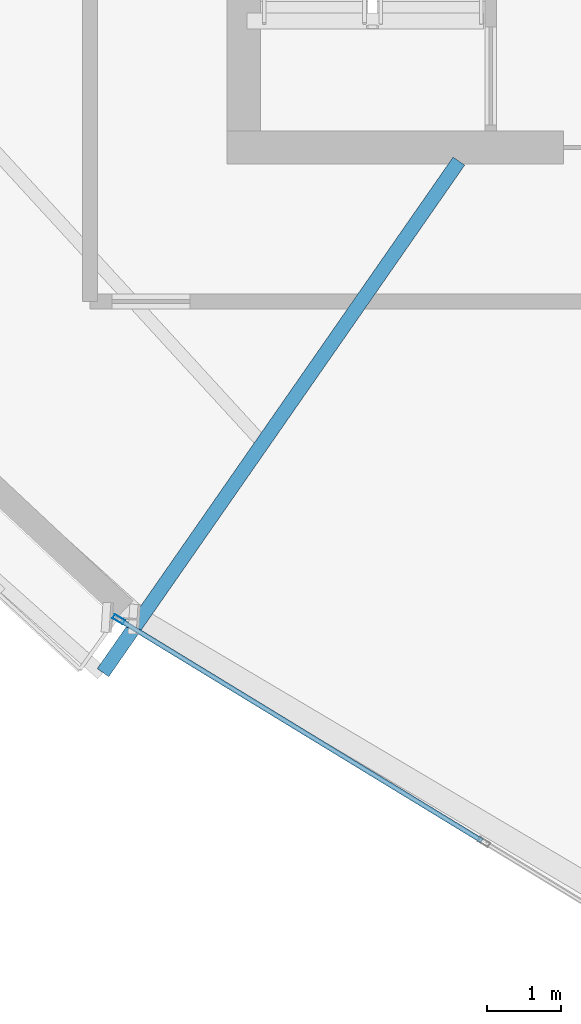
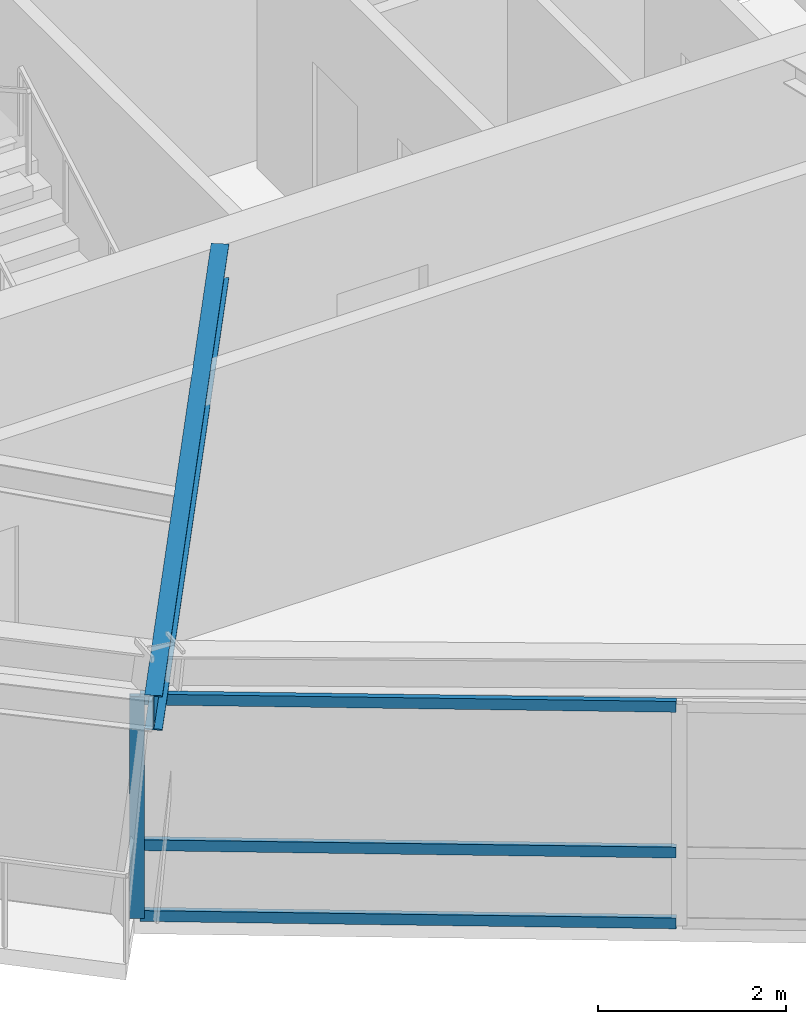
# One storey, part 2 of 14: 4 members, 1 beam, 1 element without a shape of its own.
"""IFC4 building model written with IfcOpenShell, lengths in metres."""

import ifcopenshell
import ifcopenshell.guid

model = None  # the IFC model being written
_history = None  # IfcOwnerHistory: only IFC2X3 demands one
_inside = {}  # id of a spatial element -> (the spatial element, [elements in it])
_under = {}  # id of a project, library or spatial element -> (it, [spatial elements below it])
_declared = {}  # id of a project -> (the project, [libraries it declares])
_typed = {}  # id of a type object -> (the type object, [elements of that type])
_made_of = {}  # id of a material, layer set ... -> (it, [elements and type objects made of it])


def new_model(schema):
    """Start an empty IFC model of exactly this schema.

    Asked for "IFC4X3", IfcOpenShell would pick the latest addendum, in which some entities
    have other attributes; the version numbers below select the first issue.
    IFC2X3 requires an IfcOwnerHistory on every rooted entity: one is made here for all.
    """
    global model, _history
    if schema == "IFC4X3":
        model = ifcopenshell.file(schema_version=(4, 3, 0, 0))
    else:
        model = ifcopenshell.file(schema=schema)
    _inside.clear()
    _under.clear()
    _declared.clear()
    _typed.clear()
    _made_of.clear()
    _history = None
    if model.schema == "IFC2X3":
        org = make("IfcOrganization", Name="unknown")
        user = make(
            "IfcPersonAndOrganization",
            ThePerson=make("IfcPerson", FamilyName="unknown"),
            TheOrganization=org,
        )
        app = make(
            "IfcApplication",
            ApplicationDeveloper=org,
            Version="unknown",
            ApplicationFullName="unknown",
            ApplicationIdentifier="unknown",
        )
        _history = make(
            "IfcOwnerHistory",
            OwningUser=user,
            OwningApplication=app,
            ChangeAction="ADDED",
            CreationDate=0,
        )
    return model


def make(cls, **values):
    """One entity of the class cls with the attributes given. An attribute that is None is left unset."""
    return model.create_entity(
        cls, **{name: value for name, value in values.items() if value is not None}
    )


def rooted(cls, **values):
    """An entity with a GlobalId (a new one), such as an element, a storey or a relation."""
    return make(cls, GlobalId=ifcopenshell.guid.new(), OwnerHistory=_history, **values)


def si_unit(unit_type, name, prefix=None):
    """IfcSIUnit, for example si_unit("LENGTHUNIT", "METRE", prefix="MILLI")."""
    return make("IfcSIUnit", UnitType=unit_type, Prefix=prefix, Name=name)


def assignment(units):
    """IfcUnitAssignment: the units of a project."""
    return None if units is None else make("IfcUnitAssignment", Units=units)


def point(xyz):
    """IfcCartesianPoint."""
    return None if xyz is None else make("IfcCartesianPoint", Coordinates=xyz)


def direction(xyz):
    """IfcDirection."""
    return None if xyz is None else make("IfcDirection", DirectionRatios=xyz)


def frame(location, z_axis=None, x_axis=None):
    """IfcAxis2Placement3D, a coordinate frame: its origin and axes. An axis left out is left unset."""
    return make(
        "IfcAxis2Placement3D",
        Location=point(location),
        Axis=direction(z_axis),
        RefDirection=direction(x_axis),
    )


def frame_2d(location, x_axis=None):
    """IfcAxis2Placement2D, a coordinate frame in the plane: its origin and x axis."""
    return make(
        "IfcAxis2Placement2D", Location=point(location), RefDirection=direction(x_axis)
    )


def origin():
    """The frame at (0, 0, 0) with its axes left unset."""
    return frame((0.0, 0.0, 0.0))


def origin_2d():
    """The frame at (0, 0) in the plane with its x axis left unset."""
    return frame_2d((0.0, 0.0))


def place(relative_to, where):
    """IfcLocalPlacement: puts the frame where relative to a parent placement (None: the world)."""
    return make(
        "IfcLocalPlacement", PlacementRelTo=relative_to, RelativePlacement=where
    )


def context(
    kind, dimensions, precision=None, world=None, true_north=None, identifier=None
):
    """IfcGeometricRepresentationContext, for example the 3D "Model" context."""
    return make(
        "IfcGeometricRepresentationContext",
        ContextIdentifier=identifier,
        ContextType=kind,
        CoordinateSpaceDimension=dimensions,
        Precision=precision,
        WorldCoordinateSystem=world,
        TrueNorth=true_north,
    )


def subcontext(parent, identifier, kind, view, scale=None):
    """IfcGeometricRepresentationSubContext, for example "Body" below "Model"."""
    return make(
        "IfcGeometricRepresentationSubContext",
        ContextIdentifier=identifier,
        ContextType=kind,
        ParentContext=parent,
        TargetScale=scale,
        TargetView=view,
    )


def project(units=None, contexts=None):
    """IfcProject with its units and contexts."""
    return rooted(
        "IfcProject",
        Name="project",
        RepresentationContexts=contexts,
        UnitsInContext=assignment(units),
    )


def spatial(cls, under=None, at=None, **own):
    """A site, building, storey or space (cls), placed at a placement, below another one or the project."""
    s = rooted(cls, ObjectPlacement=at, **own)
    if under is not None:
        _under.setdefault(under.id(), (under, []))[1].append(s)
    return s


def profile(cls, at=None, kind="AREA", **sizes):
    """A parametric profile (cls). Its sizes go by their IFC names, for example OverallWidth=200.0."""
    return make(cls, ProfileType=kind, Position=at, **sizes)


def hollow_rectangle(**sizes):
    """IfcRectangleHollowProfileDef."""
    return profile("IfcRectangleHollowProfileDef", **sizes)


def i_section(**sizes):
    """IfcIShapeProfileDef."""
    return profile("IfcIShapeProfileDef", **sizes)


def extrude(swept, where, along, depth):
    """IfcExtrudedAreaSolid: the profile swept, set in the frame where, extruded along a direction by depth."""
    return make(
        "IfcExtrudedAreaSolid",
        SweptArea=swept,
        Position=where,
        ExtrudedDirection=direction(along),
        Depth=depth,
    )


def shape(context_of_items, identifier, shape_type, items):
    """IfcShapeRepresentation: the items that make up one representation, for example the "Body"."""
    return make(
        "IfcShapeRepresentation",
        ContextOfItems=context_of_items,
        RepresentationIdentifier=identifier,
        RepresentationType=shape_type,
        Items=items,
    )


def source(mapping_origin, context_of_items, identifier, shape_type, items):
    """IfcRepresentationMap: a shape defined once, which mapped items show again and again."""
    return make(
        "IfcRepresentationMap",
        MappingOrigin=mapping_origin,
        MappedRepresentation=shape(context_of_items, identifier, shape_type, items),
    )


def transform(
    local_origin,
    x_axis=None,
    y_axis=None,
    z_axis=None,
    scale=None,
    scale2=None,
    scale3=None,
    uniform=True,
):
    """IfcCartesianTransformationOperator3D, or its non-uniform kind. x_axis, y_axis, z_axis: its Axis1, 2, 3."""
    if uniform:
        return make(
            "IfcCartesianTransformationOperator3D",
            Axis1=direction(x_axis),
            Axis2=direction(y_axis),
            LocalOrigin=point(local_origin),
            Scale=scale,
            Axis3=direction(z_axis),
        )
    return make(
        "IfcCartesianTransformationOperator3DnonUniform",
        Axis1=direction(x_axis),
        Axis2=direction(y_axis),
        LocalOrigin=point(local_origin),
        Scale=scale,
        Axis3=direction(z_axis),
        Scale2=scale2,
        Scale3=scale3,
    )


def mapped(mapping_source, mapping_target):
    """IfcMappedItem: shows the shape of a source again, moved by a transform."""
    return make(
        "IfcMappedItem", MappingSource=mapping_source, MappingTarget=mapping_target
    )


def material(Name=None, Category=None):
    """IfcMaterial."""
    return make("IfcMaterial", Name=Name, Category=Category)


def material_profile(
    of_material, cross_section, Name=None, Category=None, Priority=None
):
    """IfcMaterialProfile: a cross section and its material."""
    return make(
        "IfcMaterialProfile",
        Name=Name,
        Material=of_material,
        Profile=cross_section,
        Priority=Priority,
        Category=Category,
    )


def profile_set(profiles, Name=None, composite=None):
    """IfcMaterialProfileSet."""
    return make(
        "IfcMaterialProfileSet",
        Name=Name,
        MaterialProfiles=profiles,
        CompositeProfile=composite,
    )


def made_of(thing, what):
    """Note that an element or type object is made of a material, layer set ...; save() writes the relation."""
    if what is not None:
        _made_of.setdefault(what.id(), (what, []))[1].append(thing)
    return thing


def type_object(cls, material=None, **own):
    """A type object (cls), such as IfcWallType, which elements share."""
    return made_of(rooted(cls, **own), material)


def element(
    cls,
    number,
    at=None,
    inside=None,
    cuts=None,
    type_object=None,
    material=None,
    context=None,
    identifier="Body",
    shape_type=None,
    held_by="IfcProductDefinitionShape",
    body=None,
    shapes=None,
    **own,
):
    """One element of the class cls, such as IfcWall. Its Tag is "e" and its number.

    at: its placement. inside: the storey or other place that contains it. cuts: it is an
    opening in that element (IfcRelVoidsElement). A single representation is given by context,
    identifier, shape_type and body (its items); several are given by shapes. held_by: the class
    of the entity that holds the representations. save() writes the other relations.
    """
    e = rooted(cls, Tag="e%d" % number, ObjectPlacement=at, **own)
    if body is not None:
        shapes = [shape(context, identifier, shape_type, body)]
    if shapes is not None:
        e.Representation = make(held_by, Representations=shapes)
    if inside is not None:
        _inside.setdefault(inside.id(), (inside, []))[1].append(e)
    if cuts is not None:
        rooted(
            "IfcRelVoidsElement", RelatingBuildingElement=cuts, RelatedOpeningElement=e
        )
    if type_object is not None:
        _typed.setdefault(type_object.id(), (type_object, []))[1].append(e)
    return made_of(e, material)


def aggregate(whole, parts):
    """IfcRelAggregates: a whole, such as a stair, and the parts it consists of."""
    return rooted("IfcRelAggregates", RelatingObject=whole, RelatedObjects=parts)


def save(model, path):
    """Write the relations noted so far, then the file.

    IfcRelAggregates (storeys below a building ...), IfcRelContainedInSpatialStructure (elements
    in a storey), IfcRelDefinesByType, IfcRelAssociatesMaterial and IfcRelDeclares: one each for
    every whole, place, type object, material and project.
    """
    for whole, parts in _under.values():
        aggregate(whole, parts)
    for where, things in _inside.values():
        rooted(
            "IfcRelContainedInSpatialStructure",
            RelatedElements=things,
            RelatingStructure=where,
        )
    for kind, things in _typed.values():
        rooted("IfcRelDefinesByType", RelatedObjects=things, RelatingType=kind)
    for what, things in _made_of.values():
        rooted("IfcRelAssociatesMaterial", RelatedObjects=things, RelatingMaterial=what)
    for by, libraries in _declared.values():
        rooted("IfcRelDeclares", RelatingContext=by, RelatedDefinitions=libraries)
    model.write(path)


model = new_model("IFC4")

# Units and contexts
model_context = context("Model", 3, precision=1e-05, world=origin(), true_north=direction((0.0, 1.0)))
body_context = subcontext(model_context, "Body", "Model", "MODEL_VIEW")
ifc_project = project(units=[si_unit("LENGTHUNIT", "METRE"), si_unit("AREAUNIT", "SQUARE_METRE"), si_unit("VOLUMEUNIT", "CUBIC_METRE"), si_unit("PLANEANGLEUNIT", "RADIAN"), si_unit("MASSUNIT", "GRAM", prefix="KILO")], contexts=[model_context])

# Site, building, storey
site_placement = place(None, origin())
site = spatial("IfcSite", under=ifc_project, at=site_placement, CompositionType="ELEMENT")
building_placement = place(site_placement, origin())
building = spatial("IfcBuilding", under=site, at=building_placement, Name="Olszyna Solenne Hotel", CompositionType="ELEMENT")
storey_placement = place(building_placement, frame((0.0, 0.0, 256.10009765625)))
storey = spatial("IfcBuildingStorey", under=building, at=storey_placement, Name="L68", CompositionType="ELEMENT", Elevation=256.10009765625)

# Beam
ifc_material_1 = material(Name="Steel S355J2", Category="steel")
ifc_material_profile_1 = material_profile(ifc_material_1, i_section(OverallWidth=0.18994140625, OverallDepth=0.449951171875, WebThickness=0.009521484375, FlangeThickness=0.0146484375, at=origin_2d()), Name="IPE 450", Category="load-bearing")
ifc_profile_set_1 = profile_set([ifc_material_profile_1], Name="Steel S355J2")
beam_type = type_object("IfcBeamType", Name="BM-F4", PredefinedType="BEAM", material=ifc_profile_set_1)
shared_shape_1 = source(origin(), body_context, "Body", "SweptSolid", [
    extrude(i_section(OverallWidth=0.18994140625, OverallDepth=0.449951171875, WebThickness=0.009521484375, FlangeThickness=0.0146484375, at=origin_2d()), origin(), (0.0, 0.0, 1.0), 8.39404296875),
])
beam_placement = place(storey_placement, frame((27.9765625, 12.200927734375, 3.15478515625), z_axis=(0.571168448093, 0.820832872089, 0.0), x_axis=(-0.820832872089, 0.571168448093, 0.0)))
element("IfcBeam", 1, at=beam_placement, inside=storey, type_object=beam_type, Name="Radial floor girder BM-F4 B-L68-2015", PredefinedType="BEAM", context=body_context, shape_type="MappedRepresentation", body=[
    mapped(shared_shape_1, transform((0.0, 0.0, 0.0), x_axis=(1.0, 0.0, 0.0), y_axis=(0.0, 1.0, 0.0), z_axis=(0.0, 0.0, 1.0), scale=1.0)),
])

# Curtain wall, members
ifc_material_2 = material(Name="Anodised bronze aluminium", Category="aluminium")
curtain_wall_type = type_object("IfcCurtainWallType", Name="CW-SYS-4", PredefinedType="NOTDEFINED", material=ifc_material_2)
curtain_wall_placement = place(storey_placement, origin())
curtain_wall = element("IfcCurtainWall", 2, at=curtain_wall_placement, inside=storey, type_object=curtain_wall_type, Name="Unitised curtain wall CW-SYS-4 CW-L68-01", PredefinedType="NOTDEFINED")
ifc_material_profile_2 = material_profile(ifc_material_2, hollow_rectangle(XDim=0.06494140625, YDim=0.159912109375, WallThickness=0.00390625, at=origin_2d()), Name="MULL 160x65x4", Category="load-bearing")
ifc_profile_set_2 = profile_set([ifc_material_profile_2], Name="Anodised bronze aluminium")
member_type_1 = type_object("IfcMemberType", Name="CW-M3", PredefinedType="MULLION", material=ifc_profile_set_2)
shared_shape_2 = source(origin(), body_context, "Body", "SweptSolid", [
    extrude(hollow_rectangle(XDim=0.06494140625, YDim=0.159912109375, WallThickness=0.00390625, at=origin_2d()), origin(), (0.0, 0.0, 1.0), 2.871826171875),
])
member_1_placement = place(storey_placement, frame((28.189697265625, 12.919677734375, 0.0), z_axis=(0.0, 0.0, 1.0), x_axis=(0.520829397593, 0.853660786614, 0.0)))
member_1 = element("IfcMember", 3, at=member_1_placement, type_object=member_type_1, Name="Curtain-wall mullion CW-M3 CM-L68-01-01", PredefinedType="MULLION", context=body_context, shape_type="MappedRepresentation", body=[
    mapped(shared_shape_2, transform((0.0, 0.0, 0.0), x_axis=(1.0, 0.0, 0.0), y_axis=(0.0, 1.0, 0.0), z_axis=(0.0, 0.0, 1.0), scale=1.0)),
])
ifc_material_profile_3 = material_profile(ifc_material_2, hollow_rectangle(XDim=0.06494140625, YDim=0.139892578125, WallThickness=0.00390625, at=origin_2d()), Name="TRAN 140x65x4", Category="load-bearing")
ifc_profile_set_3 = profile_set([ifc_material_profile_3], Name="Anodised bronze aluminium")
member_type_2 = type_object("IfcMemberType", Name="CW-T2", PredefinedType="USERDEFINED", material=ifc_profile_set_3)
shared_shape_3 = source(origin(), body_context, "Body", "SweptSolid", [
    extrude(hollow_rectangle(XDim=0.06494140625, YDim=0.139892578125, WallThickness=0.00390625, at=origin_2d()), origin(), (0.0, 0.0, 1.0), 5.69580078125),
])
member_2_placement = place(storey_placement, frame((28.217529296875, 12.902587890625, 0.032470703125), z_axis=(0.853660921996, -0.520829175697, 0.0), x_axis=(0.520829175697, 0.853660921996, 0.0)))
member_2 = element("IfcMember", 4, at=member_2_placement, type_object=member_type_2, Name="Curtain-wall transom CW-T2 CT-L68-01-01", ObjectType="TRANSOM", PredefinedType="USERDEFINED", context=body_context, shape_type="MappedRepresentation", body=[
    mapped(shared_shape_3, transform((0.0, 0.0, 0.0), x_axis=(1.0, 0.0, 0.0), y_axis=(0.0, 1.0, 0.0), z_axis=(0.0, 0.0, 1.0), scale=1.0)),
])
member_3_placement = place(storey_placement, frame((28.217529296875, 12.902587890625, 0.949951171875), z_axis=(0.853660921996, -0.520829175697, 0.0), x_axis=(0.520829175697, 0.853660921996, 0.0)))
member_3 = element("IfcMember", 5, at=member_3_placement, type_object=member_type_2, Name="Curtain-wall transom CW-T2 CT-L68-01-02", ObjectType="TRANSOM", PredefinedType="USERDEFINED", context=body_context, shape_type="MappedRepresentation", body=[
    mapped(shared_shape_3, transform((0.0, 0.0, 0.0), x_axis=(1.0, 0.0, 0.0), y_axis=(0.0, 1.0, 0.0), z_axis=(0.0, 0.0, 1.0), scale=1.0)),
])
member_4_placement = place(storey_placement, frame((28.217529296875, 12.902587890625, 2.83935546875), z_axis=(0.853660921996, -0.520829175697, 0.0), x_axis=(0.520829175697, 0.853660921996, 0.0)))
member_4 = element("IfcMember", 6, at=member_4_placement, type_object=member_type_2, Name="Curtain-wall transom CW-T2 CT-L68-01-03", ObjectType="TRANSOM", PredefinedType="USERDEFINED", context=body_context, shape_type="MappedRepresentation", body=[
    mapped(shared_shape_3, transform((0.0, 0.0, 0.0), x_axis=(1.0, 0.0, 0.0), y_axis=(0.0, 1.0, 0.0), z_axis=(0.0, 0.0, 1.0), scale=1.0)),
])
aggregate(curtain_wall, [member_1, member_2, member_3, member_4])

save(model, "model.ifc")
